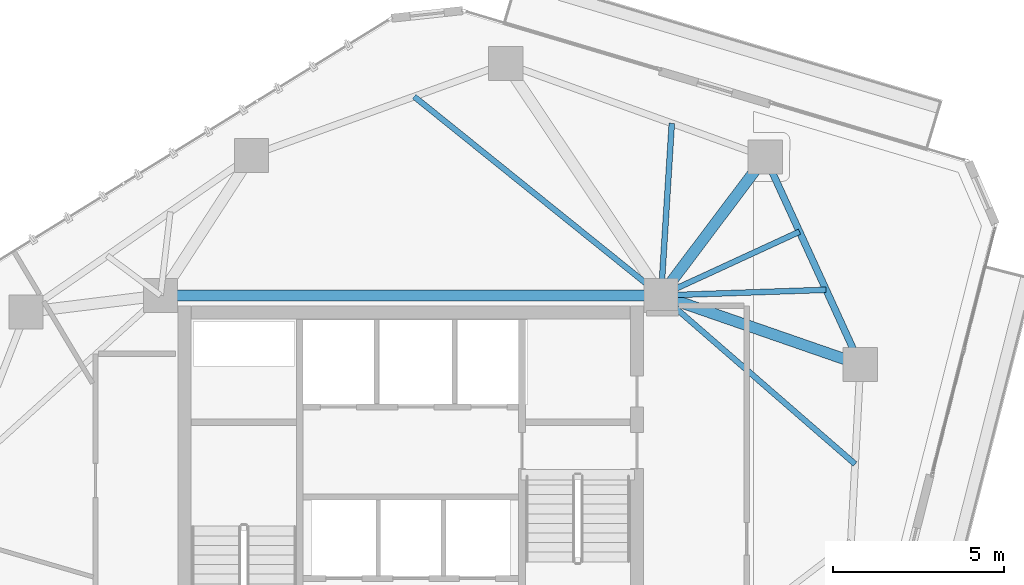
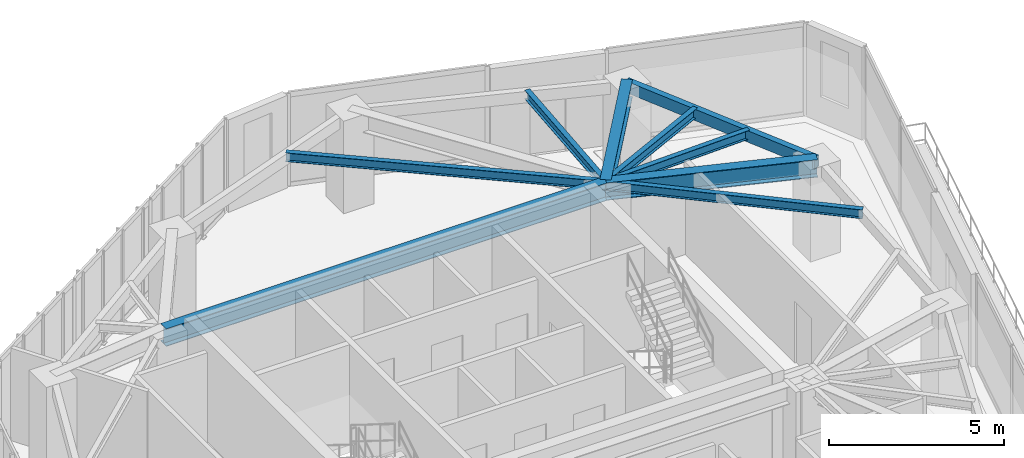
# One storey, part 10 of 21: 9 beams.
"""IFC4 building model written with IfcOpenShell, lengths in metres."""

from ifc_helpers import new_model, si_unit, direction, frame, origin, origin_2d, place, context, subcontext, project, spatial, hollow_rectangle, i_section, extrude, material, material_profile, profile_set, type_object, element, save


model = new_model("IFC4")

# Units and contexts
model_context = context("Model", 3, precision=1e-05, world=origin(), true_north=direction((0.0, 1.0)))
body_context = subcontext(model_context, "Body", "Model", "MODEL_VIEW")
ifc_project = project(units=[si_unit("LENGTHUNIT", "METRE"), si_unit("AREAUNIT", "SQUARE_METRE"), si_unit("VOLUMEUNIT", "CUBIC_METRE"), si_unit("PLANEANGLEUNIT", "RADIAN"), si_unit("MASSUNIT", "GRAM", prefix="KILO")], contexts=[model_context])

# Site, building, storey
site_placement = place(None, origin())
site = spatial("IfcSite", under=ifc_project, at=site_placement, CompositionType="ELEMENT")
building_placement = place(site_placement, origin())
building = spatial("IfcBuilding", under=site, at=building_placement, Name="Talar Marvaseh", CompositionType="ELEMENT")
storey_placement = place(building_placement, frame((0.0, 0.0, 184.5)))
storey = spatial("IfcBuildingStorey", under=building, at=storey_placement, Name="L48", CompositionType="ELEMENT", Elevation=184.5)

# Beams
ifc_material = material(Name="Steel S355", Category="steel")
ifc_material_profile_1 = material_profile(ifc_material, hollow_rectangle(XDim=0.199951171875, YDim=0.39990234375, WallThickness=0.013916015625, at=origin_2d()), Name="RHS400x200x14")
ifc_profile_set_1 = profile_set([ifc_material_profile_1], Name="Steel S355")
beam_type_1 = type_object("IfcBeamType", Name="Zone 3 Perimeter Spandrel Beam RHS400x200x14", PredefinedType="SPANDREL", material=ifc_profile_set_1)
beam_1_placement = place(storey_placement, frame((36.341064453125, 40.94189453125, 3.030029296875), z_axis=(0.416090570719, -0.909323175202, 0.0), x_axis=(0.909323175202, 0.416090570719, 0.0)))
element("IfcBeam", 1, at=beam_1_placement, inside=storey, type_object=beam_type_1, Name="L48 Zone 3 Perimeter Spandrel Beam RHS400x200x14", PredefinedType="SPANDREL", context=body_context, shape_type="SweptSolid", body=[
    extrude(hollow_rectangle(XDim=0.199951171875, YDim=0.39990234375, WallThickness=0.013916015625, at=origin_2d()), origin(), (0.0, 0.0, 1.0), 6.661865234375),
])
ifc_material_profile_2 = material_profile(ifc_material, i_section(OverallWidth=0.324951171875, OverallDepth=0.615966796875, WebThickness=0.013916015625, FlangeThickness=0.021484375, at=origin_2d()), Name="W610x174")
ifc_profile_set_2 = profile_set([ifc_material_profile_2], Name="Steel S355")
beam_type_2 = type_object("IfcBeamType", Name="Zone 3 Radial Floor Girder W610x174", PredefinedType="BEAM", material=ifc_profile_set_2)
beam_2_placement = place(storey_placement, frame((18.699951171875, 36.89990234375, 2.922119140625), z_axis=(1.0, 0.0, 0.0), x_axis=(0.0, 1.0, 0.0)))
element("IfcBeam", 2, at=beam_2_placement, inside=storey, type_object=beam_type_2, Name="L48 Zone 3 Radial Floor Girder W610x174", PredefinedType="BEAM", context=body_context, shape_type="SweptSolid", body=[
    extrude(i_section(OverallWidth=0.324951171875, OverallDepth=0.615966796875, WebThickness=0.013916015625, FlangeThickness=0.021484375, at=origin_2d()), origin(), (0.0, 0.0, 1.0), 14.60009765625),
])
beam_3_placement = place(storey_placement, frame((36.341064453125, 40.94189453125, 2.922119140625), z_axis=(-0.601204044541, -0.799095549247, 0.0), x_axis=(0.799095549247, -0.601204044541, 0.0)))
element("IfcBeam", 3, at=beam_3_placement, inside=storey, type_object=beam_type_2, Name="L48 Zone 3 Radial Floor Girder W610x174", PredefinedType="BEAM", context=body_context, shape_type="SweptSolid", body=[
    extrude(i_section(OverallWidth=0.324951171875, OverallDepth=0.615966796875, WebThickness=0.013916015625, FlangeThickness=0.021484375, at=origin_2d()), origin(), (0.0, 0.0, 1.0), 5.05810546875),
])
beam_4_placement = place(storey_placement, frame((39.113037109375, 34.884033203125, 2.922119140625), z_axis=(-0.94480098975, 0.327644761544, 0.0), x_axis=(-0.327644761544, -0.94480098975, 0.0)))
element("IfcBeam", 4, at=beam_4_placement, inside=storey, type_object=beam_type_2, Name="L48 Zone 3 Radial Floor Girder W610x174", PredefinedType="BEAM", context=body_context, shape_type="SweptSolid", body=[
    extrude(i_section(OverallWidth=0.324951171875, OverallDepth=0.615966796875, WebThickness=0.013916015625, FlangeThickness=0.021484375, at=origin_2d()), origin(), (0.0, 0.0, 1.0), 6.152587890625),
])
ifc_material_profile_3 = material_profile(ifc_material, i_section(OverallWidth=0.166015625, OverallDepth=0.31298828125, WebThickness=0.006591796875, FlangeThickness=0.01123046875, at=origin_2d()), Name="W310x45")
ifc_profile_set_3 = profile_set([ifc_material_profile_3], Name="Steel S355")
beam_type_3 = type_object("IfcBeamType", Name="Zone 3 Secondary Floor Joist W310x45", PredefinedType="JOIST", material=ifc_profile_set_3)
beam_5_placement = place(storey_placement, frame((33.614013671875, 41.92333984375, 3.073486328125), z_axis=(-0.062378286155, -0.998052578483, 0.0), x_axis=(0.998052578483, -0.062378286155, 0.0)))
element("IfcBeam", 5, at=beam_5_placement, inside=storey, type_object=beam_type_3, Name="L48 Zone 3 Secondary Floor Joist W310x45", PredefinedType="JOIST", context=body_context, shape_type="SweptSolid", body=[
    extrude(i_section(OverallWidth=0.166015625, OverallDepth=0.31298828125, WebThickness=0.006591796875, FlangeThickness=0.01123046875, at=origin_2d()), origin(), (0.0, 0.0, 1.0), 5.033203125),
])
beam_6_placement = place(storey_placement, frame((37.3388671875, 38.760986328125, 3.073486328125), z_axis=(-0.908214702737, -0.418504544458, 0.0), x_axis=(0.418504544458, -0.908214702737, 0.0)))
element("IfcBeam", 6, at=beam_6_placement, inside=storey, type_object=beam_type_3, Name="L48 Zone 3 Secondary Floor Joist W310x45", PredefinedType="JOIST", context=body_context, shape_type="SweptSolid", body=[
    extrude(i_section(OverallWidth=0.166015625, OverallDepth=0.31298828125, WebThickness=0.006591796875, FlangeThickness=0.01123046875, at=origin_2d()), origin(), (0.0, 0.0, 1.0), 4.447021484375),
])
beam_7_placement = place(storey_placement, frame((38.114990234375, 37.06494140625, 3.073486328125), z_axis=(-0.999413079861, -0.034256325017, 0.0), x_axis=(0.034256325017, -0.999413079861, 0.0)))
element("IfcBeam", 7, at=beam_7_placement, inside=storey, type_object=beam_type_3, Name="L48 Zone 3 Secondary Floor Joist W310x45", PredefinedType="JOIST", context=body_context, shape_type="SweptSolid", body=[
    extrude(i_section(OverallWidth=0.166015625, OverallDepth=0.31298828125, WebThickness=0.006591796875, FlangeThickness=0.01123046875, at=origin_2d()), origin(), (0.0, 0.0, 1.0), 4.81787109375),
])
beam_8_placement = place(storey_placement, frame((38.96044921875, 31.982421875, 3.073486328125), z_axis=(-0.754909663958, 0.655828788071, 0.0), x_axis=(-0.655828788071, -0.754909663958, 0.0)))
element("IfcBeam", 8, at=beam_8_placement, inside=storey, type_object=beam_type_3, Name="L48 Zone 3 Secondary Floor Joist W310x45", PredefinedType="JOIST", context=body_context, shape_type="SweptSolid", body=[
    extrude(i_section(OverallWidth=0.166015625, OverallDepth=0.31298828125, WebThickness=0.006591796875, FlangeThickness=0.01123046875, at=origin_2d()), origin(), (0.0, 0.0, 1.0), 7.498046875),
])
beam_9_placement = place(storey_placement, frame((26.096923828125, 42.702392578125, 3.073486328125), z_axis=(0.778755341842, -0.627327759272, 0.0), x_axis=(0.627327759272, 0.778755341842, 0.0)))
element("IfcBeam", 9, at=beam_9_placement, inside=storey, type_object=beam_type_3, Name="L48 Zone 3 Secondary Floor Joist W310x45", PredefinedType="JOIST", context=body_context, shape_type="SweptSolid", body=[
    extrude(i_section(OverallWidth=0.166015625, OverallDepth=0.31298828125, WebThickness=0.006591796875, FlangeThickness=0.01123046875, at=origin_2d()), origin(), (0.0, 0.0, 1.0), 9.24951171875),
])

save(model, "model.ifc")
